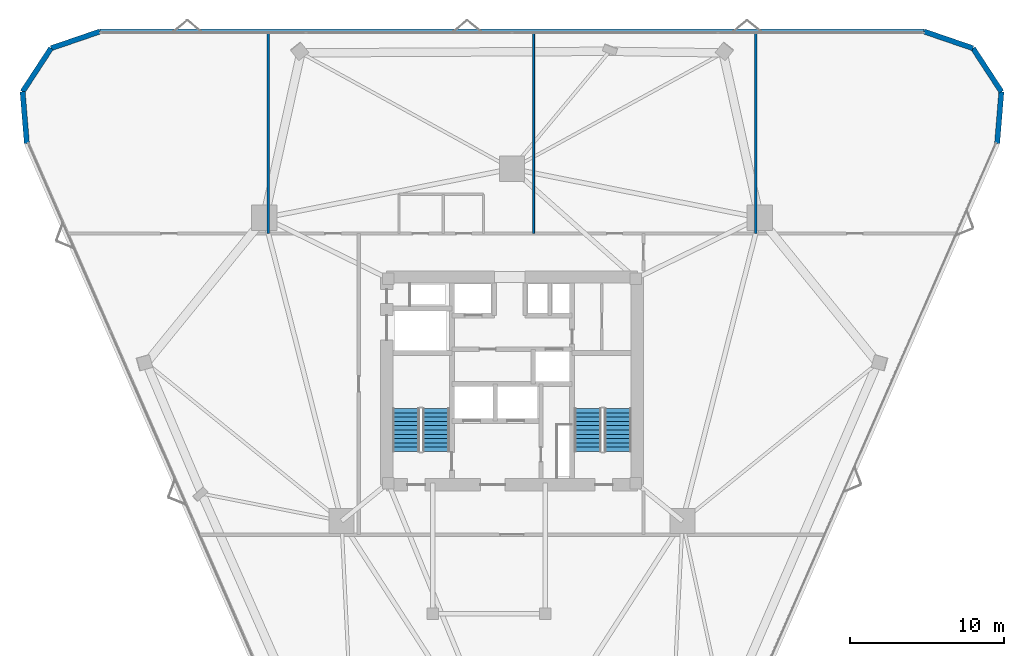
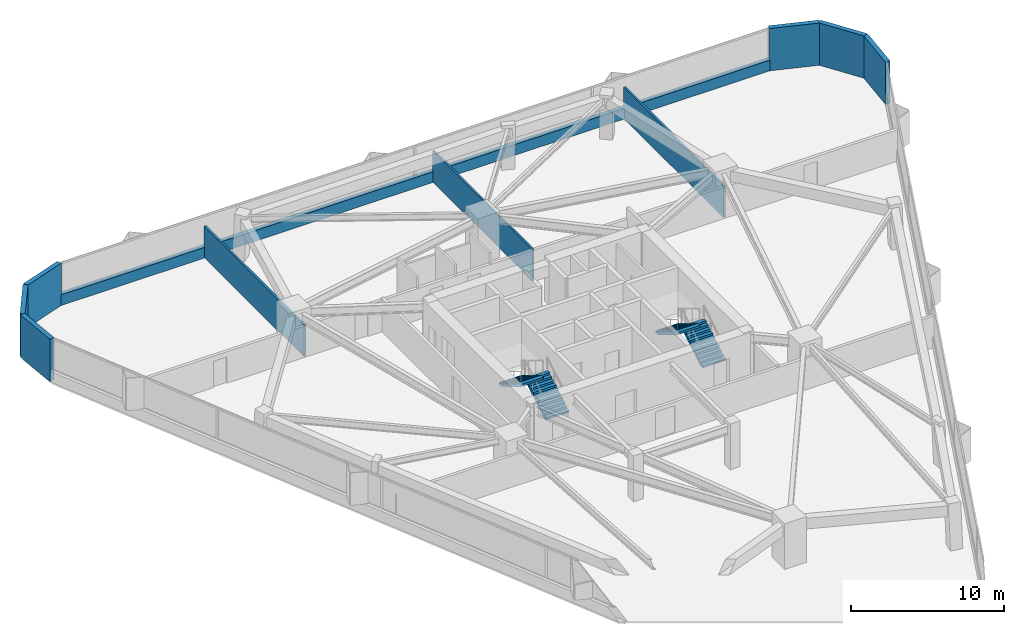
# One storey, part 18 of 19: 10 walls, 4 stair flights, 2 elements without a shape of their own.
"""IFC4 building model written with IfcOpenShell, lengths in metres."""

from ifc_helpers import new_model, si_unit, direction, frame, frame_2d, origin, place, context, subcontext, project, spatial, polyline, rectangle, outline, extrude, material, layer, layer_set, type_object, element, aggregate, save


model = new_model("IFC4")

# Units and contexts
model_context = context("Model", 3, precision=1e-05, world=origin(), true_north=direction((0.0, 1.0)))
body_context = subcontext(model_context, "Body", "Model", "MODEL_VIEW")
ifc_project = project(units=[si_unit("LENGTHUNIT", "METRE"), si_unit("AREAUNIT", "SQUARE_METRE"), si_unit("VOLUMEUNIT", "CUBIC_METRE"), si_unit("PLANEANGLEUNIT", "RADIAN"), si_unit("MASSUNIT", "GRAM", prefix="KILO")], contexts=[model_context])

# Site, building, storey
site_placement = place(None, origin())
site = spatial("IfcSite", under=ifc_project, at=site_placement, CompositionType="ELEMENT")
building_placement = place(site_placement, origin())
building = spatial("IfcBuilding", under=site, at=building_placement, Name="Talyreon Biosciences Tower", CompositionType="ELEMENT")
storey_placement = place(building_placement, frame((0.0, 0.0, 85.949951171875)))
storey = spatial("IfcBuildingStorey", under=building, at=storey_placement, Name="L22", CompositionType="ELEMENT", Elevation=85.949951171875)

# Walls
ifc_material_1 = material(Name="Gypsum acoustic stud partition", Category="gypsum")
ifc_layer_1 = layer(ifc_material_1, 0.159912109375)
ifc_layer_set_1 = layer_set([ifc_layer_1], Name="Gypsum acoustic stud partition")
wall_type_1 = type_object("IfcWallType", Name="LabSeparationPartition_160", PredefinedType="PARTITIONING", material=ifc_layer_set_1)
for number, where, z_axis, x_axis, name in (
    (1, (50.158935546875, 77.580078125, 0.0), (0.0, 0.0, 1.0), (0.0, 1.0, 0.0), "L22 Interior Wall IW-L22-NDIV1"),
    (2, (81.841064453125, 77.580078125, 0.0), (0.0, 0.0, 1.0), (0.0, 1.0, 0.0), "L22 Interior Wall IW-L22-NDIV3"),
):
    element("IfcWall", number, at=place(storey_placement, frame(where, z_axis=z_axis, x_axis=x_axis)), inside=storey, type_object=wall_type_1, Name=name, PredefinedType="PARTITIONING", context=body_context, shape_type="SweptSolid", body=[
        extrude(rectangle(XDim=13.05517578125, YDim=0.159912109375, at=frame_2d((6.527587890625, 0.0))), origin(), (0.0, 0.0, 1.0), 2.505126953125),
    ])
ifc_layer_2 = layer(ifc_material_1, 0.1298828125)
ifc_layer_set_2 = layer_set([ifc_layer_2], Name="Gypsum acoustic stud partition")
wall_type_2 = type_object("IfcWallType", Name="OfficeWriteupPartition_130", PredefinedType="PARTITIONING", material=ifc_layer_set_2)
wall_1_placement = place(storey_placement, frame((67.39990234375, 77.580078125, 0.0), z_axis=(0.0, 0.0, 1.0), x_axis=(0.0, 1.0, 0.0)))
element("IfcWall", 3, at=wall_1_placement, inside=storey, type_object=wall_type_2, Name="L22 Interior Wall IW-L22-NDIV2", PredefinedType="PARTITIONING", context=body_context, shape_type="SweptSolid", body=[
    extrude(rectangle(XDim=13.05517578125, YDim=0.1298828125, at=frame_2d((6.527587890625, 0.0))), origin(), (0.0, 0.0, 1.0), 2.505126953125),
])
ifc_material_2 = material(Name="Precast concrete C45/55", Category="concrete")
ifc_layer_3 = layer(ifc_material_2, 0.340087890625)
ifc_layer_set_3 = layer_set([ifc_layer_3], Name="Precast concrete C45/55")
wall_type_3 = type_object("IfcWallType", Name="PrecastConcreteSpandrelWall_340", PredefinedType="STANDARD", material=ifc_layer_set_3)
for number, where, z_axis, x_axis, name in (
    (4, (34.451171875, 83.436767578125, 0.0), (0.0, 0.0, 1.0), (-0.081668502706, 0.996659548525, 0.0), "L22 Rounded-Corner Concrete Pier 01"),
    (5, (34.175537109375, 86.800537109375, 0.0), (0.0, 0.0, 1.0), (0.547383837671, 0.836881672793, 0.0), "L22 Rounded-Corner Concrete Pier 02"),
    (6, (36.02294921875, 89.625, 0.0), (0.0, 0.0, 1.0), (0.945883789228, 0.324505558158, 0.0), "L22 Rounded-Corner Concrete Pier 03"),
):
    element("IfcWall", number, at=place(storey_placement, frame(where, z_axis=z_axis, x_axis=x_axis)), inside=storey, type_object=wall_type_3, Name=name, PredefinedType="STANDARD", context=body_context, shape_type="SweptSolid", body=[
        extrude(rectangle(XDim=3.375, YDim=0.340087890625, at=frame_2d((1.6875, 0.0))), origin(), (0.0, 0.0, 1.0), 3.375),
    ])
wall_2_placement = place(storey_placement, frame((39.21533203125, 90.72021484375, 0.0), z_axis=(0.0, 0.0, 1.0), x_axis=(1.0, 0.0, 0.0)))
element("IfcWall", 7, at=wall_2_placement, inside=storey, type_object=wall_type_3, Name="L22 Expressed Concrete Sill Wall 04", PredefinedType="STANDARD", context=body_context, shape_type="SweptSolid", body=[
    extrude(rectangle(XDim=53.5693359375, YDim=0.340087890625, at=frame_2d((26.78466796875, 0.0))), origin(), (0.0, 0.0, 1.0), 0.85009765625),
])
for number, where, z_axis, x_axis, name in (
    (8, (92.78466796875, 90.72021484375, 0.0), (0.0, 0.0, 1.0), (0.945883789228, -0.324505558158, 0.0), "L22 Rounded-Corner Concrete Pier 05"),
    (9, (95.97705078125, 89.625, 0.0), (0.0, 0.0, 1.0), (0.547383837671, -0.836881672793, 0.0), "L22 Rounded-Corner Concrete Pier 06"),
    (10, (97.824462890625, 86.800537109375, 0.0), (0.0, 0.0, 1.0), (-0.081668502706, -0.996659548525, 0.0), "L22 Rounded-Corner Concrete Pier 07"),
):
    element("IfcWall", number, at=place(storey_placement, frame(where, z_axis=z_axis, x_axis=x_axis)), inside=storey, type_object=wall_type_3, Name=name, PredefinedType="STANDARD", context=body_context, shape_type="SweptSolid", body=[
        extrude(rectangle(XDim=3.375, YDim=0.340087890625, at=frame_2d((1.6875, 0.0))), origin(), (0.0, 0.0, 1.0), 3.375),
    ])

# Stair, stair flights
ifc_material_3 = material(Name="Concrete C40/50", Category="concrete")
stair_type = type_object("IfcStairType", Name="DoglegEscapeStair_3650", PredefinedType="HALF_TURN_STAIR", material=ifc_material_3)
stair_1_placement = place(storey_placement, origin())
stair_1 = element("IfcStair", 11, at=stair_1_placement, inside=storey, type_object=stair_type, Name="L22 Core Escape Stair 1", PredefinedType="HALF_TURN_STAIR")
stair_flight_type = type_object("IfcStairFlightType", Name="PrecastStairFlight_3650", PredefinedType="STRAIGHT", material=ifc_material_3)
stair_flight_1_placement = place(storey_placement, frame((61.06005859375, 63.39990234375, 0.0), z_axis=(0.0, 0.0, 1.0), x_axis=(0.0, 1.0, 0.0)))
stair_flight_1 = element("IfcStairFlight", 12, at=stair_flight_1_placement, type_object=stair_flight_type, Name="ST-1 flight 1", NumberOfRisers=11, NumberOfTreads=10, PredefinedType="STRAIGHT", RiserHeight=0.165909091, TreadLength=0.28, context=body_context, shape_type="SweptSolid", body=[
    extrude(outline(polyline([(0.0, 0.0), (0.0, 0.166015625), (0.280029296875, 0.166015625), (0.280029296875, 0.331787109375), (0.56005859375, 0.331787109375), (0.56005859375, 0.497802734375), (0.840087890625, 0.497802734375), (0.840087890625, 0.66357421875), (1.1201171875, 0.66357421875), (1.1201171875, 0.82958984375), (1.39990234375, 0.82958984375), (1.39990234375, 0.995361328125), (1.679931640625, 0.995361328125), (1.679931640625, 1.161376953125), (1.9599609375, 1.161376953125), (1.9599609375, 1.327392578125), (2.239990234375, 1.327392578125), (2.239990234375, 1.4931640625), (2.52001953125, 1.4931640625), (2.52001953125, 1.6591796875), (2.800048828125, 1.6591796875), (2.800048828125, 1.824951171875), (2.800048828125, 1.48486328125), (0.2939453125, 0.0), (0.0, 0.0)])), frame((0.0, 0.8701171875, 0.0), z_axis=(0.0, -1.0, 0.0), x_axis=(1.0, 0.0, 0.0)), (0.0, 0.0, 1.0), 1.739990234375),
])
stair_flight_2_placement = place(storey_placement, frame((59.1201171875, 66.199951171875, 1.824951171875), z_axis=(0.0, 0.0, 1.0), x_axis=(0.0, -1.0, 0.0)))
stair_flight_2 = element("IfcStairFlight", 13, at=stair_flight_2_placement, type_object=stair_flight_type, Name="ST-1 flight 2", NumberOfRisers=11, NumberOfTreads=10, PredefinedType="STRAIGHT", RiserHeight=0.165909091, TreadLength=0.28, context=body_context, shape_type="SweptSolid", body=[
    extrude(outline(polyline([(0.0, 0.0), (0.0, 0.166015625), (0.280029296875, 0.166015625), (0.280029296875, 0.331787109375), (0.56005859375, 0.331787109375), (0.56005859375, 0.497802734375), (0.840087890625, 0.497802734375), (0.840087890625, 0.66357421875), (1.1201171875, 0.66357421875), (1.1201171875, 0.82958984375), (1.39990234375, 0.82958984375), (1.39990234375, 0.995361328125), (1.679931640625, 0.995361328125), (1.679931640625, 1.161376953125), (1.9599609375, 1.161376953125), (1.9599609375, 1.327392578125), (2.239990234375, 1.327392578125), (2.239990234375, 1.4931640625), (2.52001953125, 1.4931640625), (2.52001953125, 1.6591796875), (2.800048828125, 1.6591796875), (2.800048828125, 1.824951171875), (2.800048828125, 1.48486328125), (0.2939453125, 0.0), (0.0, 0.0)])), frame((0.0, 0.8701171875, 0.0), z_axis=(0.0, -1.0, 0.0), x_axis=(1.0, 0.0, 0.0)), (0.0, 0.0, 1.0), 1.739990234375),
])
aggregate(stair_1, [stair_flight_1, stair_flight_2])

stair_2_placement = place(storey_placement, origin())
stair_2 = element("IfcStair", 14, at=stair_2_placement, inside=storey, type_object=stair_type, Name="L22 Core Escape Stair 2", PredefinedType="HALF_TURN_STAIR")
stair_flight_3_placement = place(storey_placement, frame((72.8798828125, 63.39990234375, 0.0), z_axis=(0.0, 0.0, 1.0), x_axis=(0.0, 1.0, 0.0)))
stair_flight_3 = element("IfcStairFlight", 15, at=stair_flight_3_placement, type_object=stair_flight_type, Name="ST-2 flight 1", NumberOfRisers=11, NumberOfTreads=10, PredefinedType="STRAIGHT", RiserHeight=0.165909091, TreadLength=0.28, context=body_context, shape_type="SweptSolid", body=[
    extrude(outline(polyline([(0.0, 0.0), (0.0, 0.166015625), (0.280029296875, 0.166015625), (0.280029296875, 0.331787109375), (0.56005859375, 0.331787109375), (0.56005859375, 0.497802734375), (0.840087890625, 0.497802734375), (0.840087890625, 0.66357421875), (1.1201171875, 0.66357421875), (1.1201171875, 0.82958984375), (1.39990234375, 0.82958984375), (1.39990234375, 0.995361328125), (1.679931640625, 0.995361328125), (1.679931640625, 1.161376953125), (1.9599609375, 1.161376953125), (1.9599609375, 1.327392578125), (2.239990234375, 1.327392578125), (2.239990234375, 1.4931640625), (2.52001953125, 1.4931640625), (2.52001953125, 1.6591796875), (2.800048828125, 1.6591796875), (2.800048828125, 1.824951171875), (2.800048828125, 1.48486328125), (0.2939453125, 0.0), (0.0, 0.0)])), frame((0.0, 0.8701171875, 0.0), z_axis=(0.0, -1.0, 0.0), x_axis=(1.0, 0.0, 0.0)), (0.0, 0.0, 1.0), 1.739990234375),
])
stair_flight_4_placement = place(storey_placement, frame((70.93994140625, 66.199951171875, 1.824951171875), z_axis=(0.0, 0.0, 1.0), x_axis=(0.0, -1.0, 0.0)))
stair_flight_4 = element("IfcStairFlight", 16, at=stair_flight_4_placement, type_object=stair_flight_type, Name="ST-2 flight 2", NumberOfRisers=11, NumberOfTreads=10, PredefinedType="STRAIGHT", RiserHeight=0.165909091, TreadLength=0.28, context=body_context, shape_type="SweptSolid", body=[
    extrude(outline(polyline([(0.0, 0.0), (0.0, 0.166015625), (0.280029296875, 0.166015625), (0.280029296875, 0.331787109375), (0.56005859375, 0.331787109375), (0.56005859375, 0.497802734375), (0.840087890625, 0.497802734375), (0.840087890625, 0.66357421875), (1.1201171875, 0.66357421875), (1.1201171875, 0.82958984375), (1.39990234375, 0.82958984375), (1.39990234375, 0.995361328125), (1.679931640625, 0.995361328125), (1.679931640625, 1.161376953125), (1.9599609375, 1.161376953125), (1.9599609375, 1.327392578125), (2.239990234375, 1.327392578125), (2.239990234375, 1.4931640625), (2.52001953125, 1.4931640625), (2.52001953125, 1.6591796875), (2.800048828125, 1.6591796875), (2.800048828125, 1.824951171875), (2.800048828125, 1.48486328125), (0.2939453125, 0.0), (0.0, 0.0)])), frame((0.0, 0.8701171875, 0.0), z_axis=(0.0, -1.0, 0.0), x_axis=(1.0, 0.0, 0.0)), (0.0, 0.0, 1.0), 1.739990234375),
])
aggregate(stair_2, [stair_flight_3, stair_flight_4])

save(model, "model.ifc")
